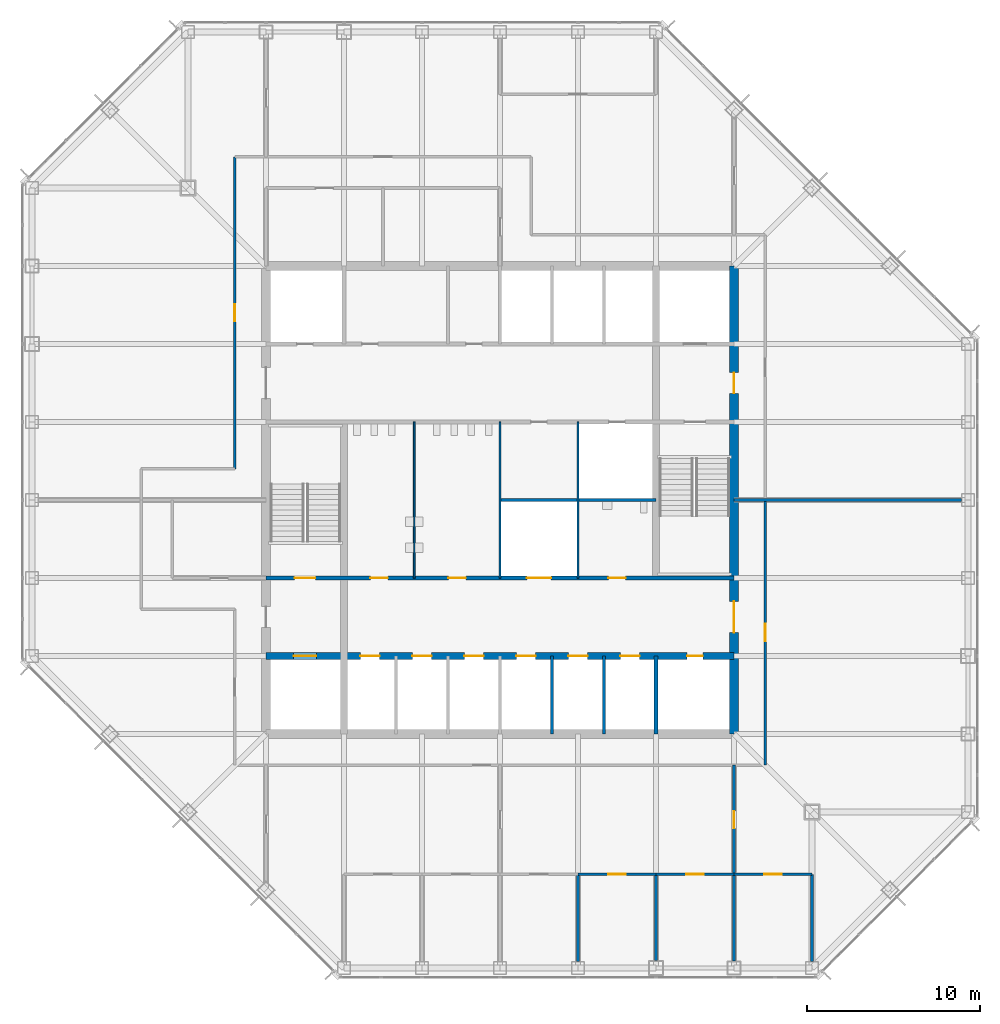
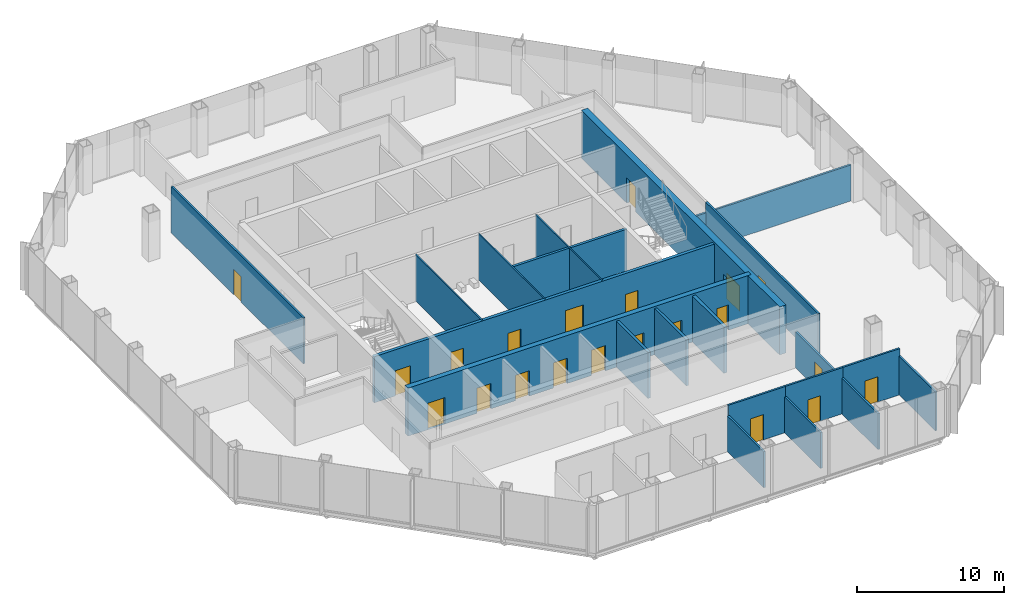
# One storey, part 9 of 12: 21 doors, 21 walls, 21 openings.
"""IFC4 building model written with IfcOpenShell, lengths in metres."""

from ifc_helpers import new_model, si_unit, direction, frame, frame_2d, origin, place, context, subcontext, project, spatial, rectangle, extrude, material, layer, layer_set, type_object, element, fill, save


model = new_model("IFC4")

# Units and contexts
model_context = context("Model", 3, precision=1e-05, world=origin(), true_north=direction((0.0, 1.0)))
body_context = subcontext(model_context, "Body", "Model", "MODEL_VIEW")
ifc_project = project(units=[si_unit("LENGTHUNIT", "METRE"), si_unit("AREAUNIT", "SQUARE_METRE"), si_unit("VOLUMEUNIT", "CUBIC_METRE"), si_unit("PLANEANGLEUNIT", "RADIAN"), si_unit("MASSUNIT", "GRAM", prefix="KILO")], contexts=[model_context])

# Site, building, storey
site_placement = place(None, origin())
site = spatial("IfcSite", under=ifc_project, at=site_placement, CompositionType="ELEMENT")
building_placement = place(site_placement, origin())
building = spatial("IfcBuilding", under=site, at=building_placement, Name="Corais Broadcast Tower", CompositionType="ELEMENT")
storey_placement = place(building_placement, frame((0.0, 0.0, 147.60009765625)))
storey = spatial("IfcBuildingStorey", under=building, at=storey_placement, Name="L33", CompositionType="ELEMENT", Elevation=147.60009765625)

# Wall
ifc_material_1 = material(Name="Concrete blockwork class A, grouted, two-hour", Category="masonry")
ifc_layer_1 = layer(ifc_material_1, 0.25)
ifc_layer_set_1 = layer_set([ifc_layer_1], Name="Concrete blockwork class A, grouted, two-hour")
wall_type_1 = type_object("IfcWallType", Name="Core lobby wall 250", PredefinedType="SOLIDWALL", material=ifc_layer_set_1)
wall_1_placement = place(storey_placement, frame((36.0, 13.5, 0.0), z_axis=(0.0, 0.0, 1.0), x_axis=(0.0, 1.0, 0.0)))
element("IfcWall", 1, at=wall_1_placement, inside=storey, type_object=wall_type_1, Name="CL2 core shaft wall X36A L33", PredefinedType="SOLIDWALL", context=body_context, shape_type="SweptSolid", body=[
    extrude(rectangle(XDim=4.5, YDim=0.25, at=frame_2d((2.25, 0.0))), origin(), (0.0, 0.0, 1.0), 3.83984375),
])

# Wall, openings, doors
wall_2_placement = place(storey_placement, frame((13.5, 22.5, 0.0), z_axis=(0.0, 0.0, 1.0), x_axis=(1.0, 0.0, 0.0)))
wall_2 = element("IfcWall", 2, at=wall_2_placement, inside=storey, type_object=wall_type_1, Name="CL2 core lobby wall Y225 L33", PredefinedType="SOLIDWALL", context=body_context, shape_type="SweptSolid", body=[
    extrude(rectangle(XDim=27.0, YDim=0.25, at=frame_2d((13.5, 0.0))), origin(), (0.0, 0.0, 1.0), 3.83984375),
])
opening_1_placement = place(wall_2_placement, frame((1.64990234375, 0.0, 0.0)))
opening_1 = element("IfcOpeningElement", 3, at=opening_1_placement, cuts=wall_2, Name="Opening FD1", PredefinedType="OPENING", context=body_context, shape_type="SweptSolid", body=[
    extrude(rectangle(XDim=1.199951171875, YDim=2.10009765625, at=frame_2d((0.60009765625, 1.050048828125))), frame((0.0, 0.135009765625, 0.0), z_axis=(0.0, -1.0, 0.0), x_axis=(1.0, 0.0, 0.0)), (0.0, 0.0, 1.0), 0.27001953125),
])
opening_2_placement = place(wall_2_placement, frame((6.02490234375, 0.0, 0.0)))
opening_2 = element("IfcOpeningElement", 4, at=opening_2_placement, cuts=wall_2, Name="Opening WD1", PredefinedType="OPENING", context=body_context, shape_type="SweptSolid", body=[
    extrude(rectangle(XDim=1.0, YDim=2.10009765625, at=frame_2d((0.5, 1.050048828125))), frame((0.0, 0.135009765625, 0.0), z_axis=(0.0, -1.0, 0.0), x_axis=(1.0, 0.0, 0.0)), (0.0, 0.0, 1.0), 0.27001953125),
])
opening_3_placement = place(wall_2_placement, frame((10.52490234375, 0.0, 0.0)))
opening_3 = element("IfcOpeningElement", 5, at=opening_3_placement, cuts=wall_2, Name="Opening WD1", PredefinedType="OPENING", context=body_context, shape_type="SweptSolid", body=[
    extrude(rectangle(XDim=1.0, YDim=2.10009765625, at=frame_2d((0.5, 1.050048828125))), frame((0.0, 0.135009765625, 0.0), z_axis=(0.0, -1.0, 0.0), x_axis=(1.0, 0.0, 0.0)), (0.0, 0.0, 1.0), 0.27001953125),
])
opening_4_placement = place(wall_2_placement, frame((19.75, 0.0, 0.0)))
opening_4 = element("IfcOpeningElement", 6, at=opening_4_placement, cuts=wall_2, Name="Opening WD1", PredefinedType="OPENING", context=body_context, shape_type="SweptSolid", body=[
    extrude(rectangle(XDim=1.0, YDim=2.10009765625, at=frame_2d((0.5, 1.050048828125))), frame((0.0, 0.135009765625, 0.0), z_axis=(0.0, -1.0, 0.0), x_axis=(1.0, 0.0, 0.0)), (0.0, 0.0, 1.0), 0.27001953125),
])
opening_5_placement = place(wall_2_placement, frame((15.050048828125, 0.0, 0.0)))
opening_5 = element("IfcOpeningElement", 7, at=opening_5_placement, cuts=wall_2, Name="Opening LD3", PredefinedType="OPENING", context=body_context, shape_type="SweptSolid", body=[
    extrude(rectangle(XDim=1.39990234375, YDim=2.39990234375, at=frame_2d((0.699951171875, 1.199951171875))), frame((0.0, 0.135009765625, 0.0), z_axis=(0.0, -1.0, 0.0), x_axis=(1.0, 0.0, 0.0)), (0.0, 0.0, 1.0), 0.27001953125),
])
ifc_material_2 = material(Name="Steel fire door", Category="steel")
door_type_1 = type_object("IfcDoorType", Name="Fire door 1200x2100", OperationType="SINGLE_SWING_LEFT", PredefinedType="DOOR", material=ifc_material_2)
door_1_placement = place(opening_1_placement, origin())
door_1 = element("IfcDoor", 8, at=door_1_placement, inside=storey, type_object=door_type_1, Name="FD1 stair A door L33", OperationType="SINGLE_SWING_LEFT", OverallHeight=2.10009765625, OverallWidth=1.199951171875, PredefinedType="DOOR", context=body_context, shape_type="SweptSolid", body=[
    extrude(rectangle(XDim=1.199951171875, YDim=2.10009765625, at=frame_2d((0.60009765625, 1.050048828125))), frame((0.0, 0.02490234375, 0.0), z_axis=(0.0, -1.0, 0.0), x_axis=(1.0, 0.0, 0.0)), (0.0, 0.0, 1.0), 0.050048828125),
])
fill(opening_1, door_1)
ifc_material_3 = material(Name="Stainless steel lift door", Category="steel")
door_type_2 = type_object("IfcDoorType", Name="Service lift landing door 1400x2400", OperationType="SLIDING_TO_LEFT", PredefinedType="DOOR", material=ifc_material_3)
door_2_placement = place(opening_5_placement, origin())
door_2 = element("IfcDoor", 9, at=door_2_placement, inside=storey, type_object=door_type_2, Name="LD3 SL1 landing door L33", OperationType="SLIDING_TO_LEFT", OverallHeight=2.39990234375, OverallWidth=1.39990234375, PredefinedType="DOOR", context=body_context, shape_type="SweptSolid", body=[
    extrude(rectangle(XDim=1.39990234375, YDim=2.39990234375, at=frame_2d((0.699951171875, 1.199951171875))), frame((0.0, 0.02490234375, 0.0), z_axis=(0.0, -1.0, 0.0), x_axis=(1.0, 0.0, 0.0)), (0.0, 0.0, 1.0), 0.050048828125),
])
fill(opening_5, door_2)
ifc_material_4 = material(Name="Timber door", Category="wood")
door_type_3 = type_object("IfcDoorType", Name="Toilet door 1000x2100", OperationType="SINGLE_SWING_LEFT", PredefinedType="DOOR", material=ifc_material_4)
door_3_placement = place(opening_2_placement, origin())
door_3 = element("IfcDoor", 10, at=door_3_placement, inside=storey, type_object=door_type_3, Name="WD1 WC male door L33", OperationType="SINGLE_SWING_LEFT", OverallHeight=2.10009765625, OverallWidth=1.0, PredefinedType="DOOR", context=body_context, shape_type="SweptSolid", body=[
    extrude(rectangle(XDim=1.0, YDim=2.10009765625, at=frame_2d((0.5, 1.050048828125))), frame((0.0, 0.02490234375, 0.0), z_axis=(0.0, -1.0, 0.0), x_axis=(1.0, 0.0, 0.0)), (0.0, 0.0, 1.0), 0.050048828125),
])
fill(opening_2, door_3)
door_4_placement = place(opening_3_placement, origin())
door_4 = element("IfcDoor", 11, at=door_4_placement, inside=storey, type_object=door_type_3, Name="WD1 WC female door L33", OperationType="SINGLE_SWING_LEFT", OverallHeight=2.10009765625, OverallWidth=1.0, PredefinedType="DOOR", context=body_context, shape_type="SweptSolid", body=[
    extrude(rectangle(XDim=1.0, YDim=2.10009765625, at=frame_2d((0.5, 1.050048828125))), frame((0.0, 0.02490234375, 0.0), z_axis=(0.0, -1.0, 0.0), x_axis=(1.0, 0.0, 0.0)), (0.0, 0.0, 1.0), 0.050048828125),
])
fill(opening_3, door_4)
door_5_placement = place(opening_4_placement, origin())
door_5 = element("IfcDoor", 12, at=door_5_placement, inside=storey, type_object=door_type_3, Name="WD1 accessible WC door L33", OperationType="SINGLE_SWING_RIGHT", OverallHeight=2.10009765625, OverallWidth=1.0, PredefinedType="DOOR", context=body_context, shape_type="SweptSolid", body=[
    extrude(rectangle(XDim=1.0, YDim=2.10009765625, at=frame_2d((0.5, 1.050048828125))), frame((0.0, 0.02490234375, 0.0), z_axis=(0.0, -1.0, 0.0), x_axis=(1.0, 0.0, 0.0)), (0.0, 0.0, 1.0), 0.050048828125),
])
fill(opening_4, door_5)

ifc_material_5 = material(Name="Concrete C50/60", Category="concrete")
ifc_layer_2 = layer(ifc_material_5, 0.39990234375)
ifc_layer_set_2 = layer_set([ifc_layer_2], Name="Concrete C50/60")
wall_type_2 = type_object("IfcWallType", Name="Core wall 400", PredefinedType="SHEAR", material=ifc_layer_set_2)
wall_3_placement = place(storey_placement, frame((13.5, 18.0, 0.0), z_axis=(0.0, 0.0, 1.0), x_axis=(1.0, 0.0, 0.0)))
wall_3 = element("IfcWall", 13, at=wall_3_placement, inside=storey, type_object=wall_type_2, Name="CR400 core wall Y18 L33", PredefinedType="SHEAR", context=body_context, shape_type="SweptSolid", body=[
    extrude(rectangle(XDim=27.0, YDim=0.39990234375, at=frame_2d((13.5, 0.0))), origin(), (0.0, 0.0, 1.0), 4.0),
])
opening_6_placement = place(wall_3_placement, frame((24.300048828125, 0.0, 0.0)))
opening_6 = element("IfcOpeningElement", 14, at=opening_6_placement, cuts=wall_3, Name="Opening RD1", PredefinedType="OPENING", context=body_context, shape_type="SweptSolid", body=[
    extrude(rectangle(XDim=0.89990234375, YDim=2.10009765625, at=frame_2d((0.449951171875, 1.050048828125))), frame((0.0, 0.2099609375, 0.0), z_axis=(0.0, -1.0, 0.0), x_axis=(1.0, 0.0, 0.0)), (0.0, 0.0, 1.0), 0.419921875),
])
opening_7_placement = place(wall_3_placement, frame((5.449951171875, 0.0, 0.0)))
opening_7 = element("IfcOpeningElement", 15, at=opening_7_placement, cuts=wall_3, Name="Opening LD1", PredefinedType="OPENING", context=body_context, shape_type="SweptSolid", body=[
    extrude(rectangle(XDim=1.10009765625, YDim=2.10009765625, at=frame_2d((0.550048828125, 1.050048828125))), frame((0.0, 0.2099609375, 0.0), z_axis=(0.0, -1.0, 0.0), x_axis=(1.0, 0.0, 0.0)), (0.0, 0.0, 1.0), 0.419921875),
])
opening_8_placement = place(wall_3_placement, frame((8.449951171875, 0.0, 0.0)))
opening_8 = element("IfcOpeningElement", 16, at=opening_8_placement, cuts=wall_3, Name="Opening LD1", PredefinedType="OPENING", context=body_context, shape_type="SweptSolid", body=[
    extrude(rectangle(XDim=1.10009765625, YDim=2.10009765625, at=frame_2d((0.550048828125, 1.050048828125))), frame((0.0, 0.2099609375, 0.0), z_axis=(0.0, -1.0, 0.0), x_axis=(1.0, 0.0, 0.0)), (0.0, 0.0, 1.0), 0.419921875),
])
opening_9_placement = place(wall_3_placement, frame((11.449951171875, 0.0, 0.0)))
opening_9 = element("IfcOpeningElement", 17, at=opening_9_placement, cuts=wall_3, Name="Opening LD1", PredefinedType="OPENING", context=body_context, shape_type="SweptSolid", body=[
    extrude(rectangle(XDim=1.10009765625, YDim=2.10009765625, at=frame_2d((0.550048828125, 1.050048828125))), frame((0.0, 0.2099609375, 0.0), z_axis=(0.0, -1.0, 0.0), x_axis=(1.0, 0.0, 0.0)), (0.0, 0.0, 1.0), 0.419921875),
])
opening_10_placement = place(wall_3_placement, frame((14.449951171875, 0.0, 0.0)))
opening_10 = element("IfcOpeningElement", 18, at=opening_10_placement, cuts=wall_3, Name="Opening LD1", PredefinedType="OPENING", context=body_context, shape_type="SweptSolid", body=[
    extrude(rectangle(XDim=1.10009765625, YDim=2.10009765625, at=frame_2d((0.550048828125, 1.050048828125))), frame((0.0, 0.2099609375, 0.0), z_axis=(0.0, -1.0, 0.0), x_axis=(1.0, 0.0, 0.0)), (0.0, 0.0, 1.0), 0.419921875),
])
opening_11_placement = place(wall_3_placement, frame((17.449951171875, 0.0, 0.0)))
opening_11 = element("IfcOpeningElement", 19, at=opening_11_placement, cuts=wall_3, Name="Opening LD1", PredefinedType="OPENING", context=body_context, shape_type="SweptSolid", body=[
    extrude(rectangle(XDim=1.10009765625, YDim=2.10009765625, at=frame_2d((0.550048828125, 1.050048828125))), frame((0.0, 0.2099609375, 0.0), z_axis=(0.0, -1.0, 0.0), x_axis=(1.0, 0.0, 0.0)), (0.0, 0.0, 1.0), 0.419921875),
])
opening_12_placement = place(wall_3_placement, frame((20.449951171875, 0.0, 0.0)))
opening_12 = element("IfcOpeningElement", 20, at=opening_12_placement, cuts=wall_3, Name="Opening LD1", PredefinedType="OPENING", context=body_context, shape_type="SweptSolid", body=[
    extrude(rectangle(XDim=1.10009765625, YDim=2.10009765625, at=frame_2d((0.550048828125, 1.050048828125))), frame((0.0, 0.2099609375, 0.0), z_axis=(0.0, -1.0, 0.0), x_axis=(1.0, 0.0, 0.0)), (0.0, 0.0, 1.0), 0.419921875),
])
opening_13_placement = place(wall_3_placement, frame((1.60009765625, 0.0, 0.0)))
opening_13 = element("IfcOpeningElement", 21, at=opening_13_placement, cuts=wall_3, Name="Opening LD2", PredefinedType="OPENING", context=body_context, shape_type="SweptSolid", body=[
    extrude(rectangle(XDim=1.300048828125, YDim=2.199951171875, at=frame_2d((0.64990234375, 1.10009765625))), frame((0.0, 0.2099609375, 0.0), z_axis=(0.0, -1.0, 0.0), x_axis=(1.0, 0.0, 0.0)), (0.0, 0.0, 1.0), 0.419921875),
])
ifc_material_6 = material(Name="Stainless steel lift door", Category="steel")
door_type_4 = type_object("IfcDoorType", Name="Lift landing door 1100x2100", OperationType="SLIDING_TO_LEFT", PredefinedType="DOOR", material=ifc_material_6)
door_6_placement = place(opening_7_placement, origin())
door_6 = element("IfcDoor", 22, at=door_6_placement, inside=storey, type_object=door_type_4, Name="LD1 PM1 landing door L33", OperationType="SLIDING_TO_LEFT", OverallHeight=2.10009765625, OverallWidth=1.10009765625, PredefinedType="DOOR", context=body_context, shape_type="SweptSolid", body=[
    extrude(rectangle(XDim=1.10009765625, YDim=2.10009765625, at=frame_2d((0.550048828125, 1.050048828125))), frame((0.0, 0.02490234375, 0.0), z_axis=(0.0, -1.0, 0.0), x_axis=(1.0, 0.0, 0.0)), (0.0, 0.0, 1.0), 0.050048828125),
])
fill(opening_7, door_6)
door_7_placement = place(opening_8_placement, origin())
door_7 = element("IfcDoor", 23, at=door_7_placement, inside=storey, type_object=door_type_4, Name="LD1 PM2 landing door L33", OperationType="SLIDING_TO_LEFT", OverallHeight=2.10009765625, OverallWidth=1.10009765625, PredefinedType="DOOR", context=body_context, shape_type="SweptSolid", body=[
    extrude(rectangle(XDim=1.10009765625, YDim=2.10009765625, at=frame_2d((0.550048828125, 1.050048828125))), frame((0.0, 0.02490234375, 0.0), z_axis=(0.0, -1.0, 0.0), x_axis=(1.0, 0.0, 0.0)), (0.0, 0.0, 1.0), 0.050048828125),
])
fill(opening_8, door_7)
door_8_placement = place(opening_9_placement, origin())
door_8 = element("IfcDoor", 24, at=door_8_placement, inside=storey, type_object=door_type_4, Name="LD1 PM3 landing door L33", OperationType="SLIDING_TO_LEFT", OverallHeight=2.10009765625, OverallWidth=1.10009765625, PredefinedType="DOOR", context=body_context, shape_type="SweptSolid", body=[
    extrude(rectangle(XDim=1.10009765625, YDim=2.10009765625, at=frame_2d((0.550048828125, 1.050048828125))), frame((0.0, 0.02490234375, 0.0), z_axis=(0.0, -1.0, 0.0), x_axis=(1.0, 0.0, 0.0)), (0.0, 0.0, 1.0), 0.050048828125),
])
fill(opening_9, door_8)
door_9_placement = place(opening_10_placement, origin())
door_9 = element("IfcDoor", 25, at=door_9_placement, inside=storey, type_object=door_type_4, Name="LD1 PM4 landing door L33", OperationType="SLIDING_TO_LEFT", OverallHeight=2.10009765625, OverallWidth=1.10009765625, PredefinedType="DOOR", context=body_context, shape_type="SweptSolid", body=[
    extrude(rectangle(XDim=1.10009765625, YDim=2.10009765625, at=frame_2d((0.550048828125, 1.050048828125))), frame((0.0, 0.02490234375, 0.0), z_axis=(0.0, -1.0, 0.0), x_axis=(1.0, 0.0, 0.0)), (0.0, 0.0, 1.0), 0.050048828125),
])
fill(opening_10, door_9)
door_10_placement = place(opening_11_placement, origin())
door_10 = element("IfcDoor", 26, at=door_10_placement, inside=storey, type_object=door_type_4, Name="LD1 PM5 landing door L33", OperationType="SLIDING_TO_LEFT", OverallHeight=2.10009765625, OverallWidth=1.10009765625, PredefinedType="DOOR", context=body_context, shape_type="SweptSolid", body=[
    extrude(rectangle(XDim=1.10009765625, YDim=2.10009765625, at=frame_2d((0.550048828125, 1.050048828125))), frame((0.0, 0.02490234375, 0.0), z_axis=(0.0, -1.0, 0.0), x_axis=(1.0, 0.0, 0.0)), (0.0, 0.0, 1.0), 0.050048828125),
])
fill(opening_11, door_10)
door_11_placement = place(opening_12_placement, origin())
door_11 = element("IfcDoor", 27, at=door_11_placement, inside=storey, type_object=door_type_4, Name="LD1 PM6 landing door L33", OperationType="SLIDING_TO_LEFT", OverallHeight=2.10009765625, OverallWidth=1.10009765625, PredefinedType="DOOR", context=body_context, shape_type="SweptSolid", body=[
    extrude(rectangle(XDim=1.10009765625, YDim=2.10009765625, at=frame_2d((0.550048828125, 1.050048828125))), frame((0.0, 0.02490234375, 0.0), z_axis=(0.0, -1.0, 0.0), x_axis=(1.0, 0.0, 0.0)), (0.0, 0.0, 1.0), 0.050048828125),
])
fill(opening_12, door_11)
ifc_material_7 = material(Name="Stainless steel lift door", Category="steel")
door_type_5 = type_object("IfcDoorType", Name="Lift landing door 1300x2200", OperationType="SLIDING_TO_LEFT", PredefinedType="DOOR", material=ifc_material_7)
door_12_placement = place(opening_13_placement, origin())
door_12 = element("IfcDoor", 28, at=door_12_placement, inside=storey, type_object=door_type_5, Name="LD2 FL1 landing door L33", OperationType="SLIDING_TO_LEFT", OverallHeight=2.199951171875, OverallWidth=1.300048828125, PredefinedType="DOOR", context=body_context, shape_type="SweptSolid", body=[
    extrude(rectangle(XDim=1.300048828125, YDim=2.199951171875, at=frame_2d((0.64990234375, 1.10009765625))), frame((0.0, 0.02490234375, 0.0), z_axis=(0.0, -1.0, 0.0), x_axis=(1.0, 0.0, 0.0)), (0.0, 0.0, 1.0), 0.050048828125),
])
fill(opening_13, door_12)
ifc_material_8 = material(Name="Steel fire door", Category="steel")
door_type_6 = type_object("IfcDoorType", Name="Riser door 900x2100", OperationType="SINGLE_SWING_LEFT", PredefinedType="DOOR", material=ifc_material_8)
door_13_placement = place(opening_6_placement, origin())
door_13 = element("IfcDoor", 29, at=door_13_placement, inside=storey, type_object=door_type_6, Name="RD1 riser door L33", OperationType="SINGLE_SWING_RIGHT", OverallHeight=2.10009765625, OverallWidth=0.89990234375, PredefinedType="DOOR", context=body_context, shape_type="SweptSolid", body=[
    extrude(rectangle(XDim=0.89990234375, YDim=2.10009765625, at=frame_2d((0.449951171875, 1.050048828125))), frame((0.0, 0.02490234375, 0.0), z_axis=(0.0, -1.0, 0.0), x_axis=(1.0, 0.0, 0.0)), (0.0, 0.0, 1.0), 0.050048828125),
])
fill(opening_6, door_13)

ifc_material_9 = material(Name="Concrete C50/60", Category="concrete")
ifc_layer_3 = layer(ifc_material_9, 0.5)
ifc_layer_set_3 = layer_set([ifc_layer_3], Name="Concrete C50/60")
wall_type_3 = type_object("IfcWallType", Name="Core wall 500", PredefinedType="SHEAR", material=ifc_layer_set_3)
wall_4_placement = place(storey_placement, frame((40.5, 13.5, 0.0), z_axis=(0.0, 0.0, 1.0), x_axis=(0.0, 1.0, 0.0)))
wall_4 = element("IfcWall", 30, at=wall_4_placement, inside=storey, type_object=wall_type_3, Name="CR500 core wall E L33", PredefinedType="SHEAR", context=body_context, shape_type="SweptSolid", body=[
    extrude(rectangle(XDim=27.0, YDim=0.5, at=frame_2d((13.5, 0.0))), origin(), (0.0, 0.0, 1.0), 4.0),
])
opening_14_placement = place(wall_4_placement, frame((5.85009765625, 0.0, 0.0)))
opening_14 = element("IfcOpeningElement", 31, at=opening_14_placement, cuts=wall_4, Name="Opening FD2", PredefinedType="OPENING", context=body_context, shape_type="SweptSolid", body=[
    extrude(rectangle(XDim=1.800048828125, YDim=2.10009765625, at=frame_2d((0.89990234375, 1.050048828125))), frame((0.0, 0.260009765625, 0.0), z_axis=(0.0, -1.0, 0.0), x_axis=(1.0, 0.0, 0.0)), (0.0, 0.0, 1.0), 0.52001953125),
])
opening_15_placement = place(wall_4_placement, frame((19.64990234375, 0.0, 0.0)))
opening_15 = element("IfcOpeningElement", 32, at=opening_15_placement, cuts=wall_4, Name="Opening FD1", PredefinedType="OPENING", context=body_context, shape_type="SweptSolid", body=[
    extrude(rectangle(XDim=1.199951171875, YDim=2.10009765625, at=frame_2d((0.60009765625, 1.050048828125))), frame((0.0, 0.260009765625, 0.0), z_axis=(0.0, -1.0, 0.0), x_axis=(1.0, 0.0, 0.0)), (0.0, 0.0, 1.0), 0.52001953125),
])
door_14_placement = place(opening_15_placement, origin())
door_14 = element("IfcDoor", 33, at=door_14_placement, inside=storey, type_object=door_type_1, Name="FD1 fire lobby B door L33", OperationType="SINGLE_SWING_RIGHT", OverallHeight=2.10009765625, OverallWidth=1.199951171875, PredefinedType="DOOR", context=body_context, shape_type="SweptSolid", body=[
    extrude(rectangle(XDim=1.199951171875, YDim=2.10009765625, at=frame_2d((0.60009765625, 1.050048828125))), frame((0.0, 0.02490234375, 0.0), z_axis=(0.0, -1.0, 0.0), x_axis=(1.0, 0.0, 0.0)), (0.0, 0.0, 1.0), 0.050048828125),
])
fill(opening_15, door_14)
ifc_material_10 = material(Name="Steel fire door", Category="steel")
door_type_7 = type_object("IfcDoorType", Name="Fire door pair 1800x2100", OperationType="DOUBLE_DOOR_SINGLE_SWING", PredefinedType="DOOR", material=ifc_material_10)
door_15_placement = place(opening_14_placement, origin())
door_15 = element("IfcDoor", 34, at=door_15_placement, inside=storey, type_object=door_type_7, Name="FD2 lift lobby door L33", OperationType="SINGLE_SWING_LEFT", OverallHeight=2.10009765625, OverallWidth=1.800048828125, PredefinedType="DOOR", context=body_context, shape_type="SweptSolid", body=[
    extrude(rectangle(XDim=1.800048828125, YDim=2.10009765625, at=frame_2d((0.89990234375, 1.050048828125))), frame((0.0, 0.02490234375, 0.0), z_axis=(0.0, -1.0, 0.0), x_axis=(1.0, 0.0, 0.0)), (0.0, 0.0, 1.0), 0.050048828125),
])
fill(opening_14, door_15)

# Wall
ifc_material_11 = material(Name="Two layers of fire-rated gypsum board each side on steel studs", Category="steel")
ifc_layer_4 = layer(ifc_material_11, 0.14990234375)
ifc_layer_set_4 = layer_set([ifc_layer_4], Name="Two layers of fire-rated gypsum board each side on steel studs")
wall_type_4 = type_object("IfcWallType", Name="Fire-rated partition 150 EI 60", PredefinedType="PARTITIONING", material=ifc_layer_set_4)
wall_5_placement = place(storey_placement, frame((40.5, 27.0, 0.0), z_axis=(0.0, 0.0, 1.0), x_axis=(1.0, 0.0, 0.0)))
element("IfcWall", 35, at=wall_5_placement, inside=storey, type_object=wall_type_4, Name="IW7 tenancy wall L33", PredefinedType="PARTITIONING", context=body_context, shape_type="SweptSolid", body=[
    extrude(rectangle(XDim=13.114990234375, YDim=0.14990234375, at=frame_2d((6.5576171875, 0.0))), origin(), (0.0, 0.0, 1.0), 2.989013671875),
])

# Wall, opening, door
ifc_material_12 = material(Name="Gypsum board on steel studs", Category="steel")
ifc_layer_5 = layer(ifc_material_12, 0.14990234375)
ifc_layer_set_5 = layer_set([ifc_layer_5], Name="Gypsum board on steel studs")
wall_type_5 = type_object("IfcWallType", Name="Partition 150", PredefinedType="PARTITIONING", material=ifc_layer_set_5)
wall_6_placement = place(storey_placement, frame((11.699951171875, 46.800048828125, 0.0), z_axis=(0.0, 0.0, 1.0), x_axis=(0.0, -1.0, 0.0)))
wall_6 = element("IfcWall", 36, at=wall_6_placement, inside=storey, type_object=wall_type_5, Name="IW3 corridor wall L33", PredefinedType="PARTITIONING", context=body_context, shape_type="SweptSolid", body=[
    extrude(rectangle(XDim=18.0, YDim=0.14990234375, at=frame_2d((9.0, 0.0))), origin(), (0.0, 0.0, 1.0), 3.83984375),
])
opening_16_placement = place(wall_6_placement, frame((8.5, 0.0, 0.0)))
opening_16 = element("IfcOpeningElement", 37, at=opening_16_placement, cuts=wall_6, Name="Opening D1", PredefinedType="OPENING", context=body_context, shape_type="SweptSolid", body=[
    extrude(rectangle(XDim=1.0, YDim=2.10009765625, at=frame_2d((0.5, 1.050048828125))), frame((0.0, 0.0849609375, 0.0), z_axis=(0.0, -1.0, 0.0), x_axis=(1.0, 0.0, 0.0)), (0.0, 0.0, 1.0), 0.169921875),
])
ifc_material_13 = material(Name="Timber door", Category="wood")
door_type_8 = type_object("IfcDoorType", Name="Single door 1000x2100", OperationType="SINGLE_SWING_LEFT", PredefinedType="DOOR", material=ifc_material_13)
door_16_placement = place(opening_16_placement, origin())
door_16 = element("IfcDoor", 38, at=door_16_placement, inside=storey, type_object=door_type_8, Name="D1 workplace door L33", OperationType="SINGLE_SWING_LEFT", OverallHeight=2.10009765625, OverallWidth=1.0, PredefinedType="DOOR", context=body_context, shape_type="SweptSolid", body=[
    extrude(rectangle(XDim=1.0, YDim=2.10009765625, at=frame_2d((0.5, 1.050048828125))), frame((0.0, 0.02490234375, 0.0), z_axis=(0.0, -1.0, 0.0), x_axis=(1.0, 0.0, 0.0)), (0.0, 0.0, 1.0), 0.050048828125),
])
fill(opening_16, door_16)

wall_7_placement = place(storey_placement, frame((42.300048828125, 11.699951171875, 0.0), z_axis=(0.0, 0.0, 1.0), x_axis=(0.0, 1.0, 0.0)))
wall_7 = element("IfcWall", 39, at=wall_7_placement, inside=storey, type_object=wall_type_5, Name="IW3 corridor wall L33", PredefinedType="PARTITIONING", context=body_context, shape_type="SweptSolid", body=[
    extrude(rectangle(XDim=15.299560546875, YDim=0.14990234375, at=frame_2d((7.64990234375, 0.0))), origin(), (0.0, 0.0, 1.0), 3.83984375),
])
opening_17_placement = place(wall_7_placement, frame((7.14990234375, 0.0, 0.0)))
opening_17 = element("IfcOpeningElement", 40, at=opening_17_placement, cuts=wall_7, Name="Opening D1", PredefinedType="OPENING", context=body_context, shape_type="SweptSolid", body=[
    extrude(rectangle(XDim=1.0, YDim=2.10009765625, at=frame_2d((0.5, 1.050048828125))), frame((0.0, 0.0849609375, 0.0), z_axis=(0.0, -1.0, 0.0), x_axis=(1.0, 0.0, 0.0)), (0.0, 0.0, 1.0), 0.169921875),
])
door_17_placement = place(opening_17_placement, origin())
door_17 = element("IfcDoor", 41, at=door_17_placement, inside=storey, type_object=door_type_8, Name="D1 workplace door L33", OperationType="SINGLE_SWING_RIGHT", OverallHeight=2.10009765625, OverallWidth=1.0, PredefinedType="DOOR", context=body_context, shape_type="SweptSolid", body=[
    extrude(rectangle(XDim=1.0, YDim=2.10009765625, at=frame_2d((0.5, 1.050048828125))), frame((0.0, 0.02490234375, 0.0), z_axis=(0.0, -1.0, 0.0), x_axis=(1.0, 0.0, 0.0)), (0.0, 0.0, 1.0), 0.050048828125),
])
fill(opening_17, door_17)

# Walls
wall_8_placement = place(storey_placement, frame((31.5, 0.385009765625, 0.0), z_axis=(0.0, 0.0, 1.0), x_axis=(0.0, 1.0, 0.0)))
element("IfcWall", 42, at=wall_8_placement, inside=storey, type_object=wall_type_5, Name="IW3 partition L33", PredefinedType="PARTITIONING", context=body_context, shape_type="SweptSolid", body=[
    extrude(rectangle(XDim=5.014892578125, YDim=0.14990234375, at=frame_2d((2.50732421875, 0.0))), origin(), (0.0, 0.0, 1.0), 2.989013671875),
])
wall_9_placement = place(storey_placement, frame((36.0, 0.43505859375, 0.0), z_axis=(0.0, 0.0, 1.0), x_axis=(0.0, 1.0, 0.0)))
element("IfcWall", 43, at=wall_9_placement, inside=storey, type_object=wall_type_5, Name="IW3 partition L33", PredefinedType="PARTITIONING", context=body_context, shape_type="SweptSolid", body=[
    extrude(rectangle(XDim=4.96484375, YDim=0.14990234375, at=frame_2d((2.482421875, 0.0))), origin(), (0.0, 0.0, 1.0), 2.989013671875),
])

# Wall, opening, door
wall_10_placement = place(storey_placement, frame((36.0, 5.39990234375, 0.0), z_axis=(0.0, 0.0, 1.0), x_axis=(-1.0, 0.0, 0.0)))
wall_10 = element("IfcWall", 44, at=wall_10_placement, inside=storey, type_object=wall_type_5, Name="IW3 partition L33", PredefinedType="PARTITIONING", context=body_context, shape_type="SweptSolid", body=[
    extrude(rectangle(XDim=4.5, YDim=0.14990234375, at=frame_2d((2.25, 0.0))), origin(), (0.0, 0.0, 1.0), 3.83984375),
])
opening_18_placement = place(wall_10_placement, frame((1.75, 0.0, 0.0)))
opening_18 = element("IfcOpeningElement", 45, at=opening_18_placement, cuts=wall_10, Name="Opening D1", PredefinedType="OPENING", context=body_context, shape_type="SweptSolid", body=[
    extrude(rectangle(XDim=1.0, YDim=2.10009765625, at=frame_2d((0.5, 1.050048828125))), frame((0.0, 0.0849609375, 0.0), z_axis=(0.0, -1.0, 0.0), x_axis=(1.0, 0.0, 0.0)), (0.0, 0.0, 1.0), 0.169921875),
])
door_18_placement = place(opening_18_placement, origin())
door_18 = element("IfcDoor", 46, at=door_18_placement, inside=storey, type_object=door_type_8, Name="D1 Office door", OperationType="SINGLE_SWING_LEFT", OverallHeight=2.10009765625, OverallWidth=1.0, PredefinedType="DOOR", context=body_context, shape_type="SweptSolid", body=[
    extrude(rectangle(XDim=1.0, YDim=2.10009765625, at=frame_2d((0.5, 1.050048828125))), frame((0.0, 0.02490234375, 0.0), z_axis=(0.0, -1.0, 0.0), x_axis=(1.0, 0.0, 0.0)), (0.0, 0.0, 1.0), 0.050048828125),
])
fill(opening_18, door_18)

# Wall
wall_11_placement = place(storey_placement, frame((40.5, 0.409912109375, 0.0), z_axis=(0.0, 0.0, 1.0), x_axis=(0.0, 1.0, 0.0)))
element("IfcWall", 47, at=wall_11_placement, inside=storey, type_object=wall_type_5, Name="IW3 partition L33", PredefinedType="PARTITIONING", context=body_context, shape_type="SweptSolid", body=[
    extrude(rectangle(XDim=4.989990234375, YDim=0.14990234375, at=frame_2d((2.4951171875, 0.0))), origin(), (0.0, 0.0, 1.0), 2.989013671875),
])

# Wall, opening, door
wall_12_placement = place(storey_placement, frame((40.5, 5.39990234375, 0.0), z_axis=(0.0, 0.0, 1.0), x_axis=(-1.0, 0.0, 0.0)))
wall_12 = element("IfcWall", 48, at=wall_12_placement, inside=storey, type_object=wall_type_5, Name="IW3 partition L33", PredefinedType="PARTITIONING", context=body_context, shape_type="SweptSolid", body=[
    extrude(rectangle(XDim=4.5, YDim=0.14990234375, at=frame_2d((2.25, 0.0))), origin(), (0.0, 0.0, 1.0), 3.83984375),
])
opening_19_placement = place(wall_12_placement, frame((1.75, 0.0, 0.0)))
opening_19 = element("IfcOpeningElement", 49, at=opening_19_placement, cuts=wall_12, Name="Opening D1", PredefinedType="OPENING", context=body_context, shape_type="SweptSolid", body=[
    extrude(rectangle(XDim=1.0, YDim=2.10009765625, at=frame_2d((0.5, 1.050048828125))), frame((0.0, 0.0849609375, 0.0), z_axis=(0.0, -1.0, 0.0), x_axis=(1.0, 0.0, 0.0)), (0.0, 0.0, 1.0), 0.169921875),
])
door_19_placement = place(opening_19_placement, origin())
door_19 = element("IfcDoor", 50, at=door_19_placement, inside=storey, type_object=door_type_8, Name="D1 Office door", OperationType="SINGLE_SWING_LEFT", OverallHeight=2.10009765625, OverallWidth=1.0, PredefinedType="DOOR", context=body_context, shape_type="SweptSolid", body=[
    extrude(rectangle(XDim=1.0, YDim=2.10009765625, at=frame_2d((0.5, 1.050048828125))), frame((0.0, 0.02490234375, 0.0), z_axis=(0.0, -1.0, 0.0), x_axis=(1.0, 0.0, 0.0)), (0.0, 0.0, 1.0), 0.050048828125),
])
fill(opening_19, door_19)

# Wall
wall_13_placement = place(storey_placement, frame((45.0, 0.385009765625, 0.0), z_axis=(0.0, 0.0, 1.0), x_axis=(0.0, 1.0, 0.0)))
element("IfcWall", 51, at=wall_13_placement, inside=storey, type_object=wall_type_5, Name="IW3 partition L33", PredefinedType="PARTITIONING", context=body_context, shape_type="SweptSolid", body=[
    extrude(rectangle(XDim=5.014892578125, YDim=0.14990234375, at=frame_2d((2.50732421875, 0.0))), origin(), (0.0, 0.0, 1.0), 3.22900390625),
])

# Wall, opening, door
wall_14_placement = place(storey_placement, frame((45.0, 5.39990234375, 0.0), z_axis=(0.0, 0.0, 1.0), x_axis=(-1.0, 0.0, 0.0)))
wall_14 = element("IfcWall", 52, at=wall_14_placement, inside=storey, type_object=wall_type_5, Name="IW3 partition L33", PredefinedType="PARTITIONING", context=body_context, shape_type="SweptSolid", body=[
    extrude(rectangle(XDim=4.5, YDim=0.14990234375, at=frame_2d((2.25, 0.0))), origin(), (0.0, 0.0, 1.0), 3.83984375),
])
opening_20_placement = place(wall_14_placement, frame((1.75, 0.0, 0.0)))
opening_20 = element("IfcOpeningElement", 53, at=opening_20_placement, cuts=wall_14, Name="Opening D1", PredefinedType="OPENING", context=body_context, shape_type="SweptSolid", body=[
    extrude(rectangle(XDim=1.0, YDim=2.10009765625, at=frame_2d((0.5, 1.050048828125))), frame((0.0, 0.0849609375, 0.0), z_axis=(0.0, -1.0, 0.0), x_axis=(1.0, 0.0, 0.0)), (0.0, 0.0, 1.0), 0.169921875),
])
door_20_placement = place(opening_20_placement, origin())
door_20 = element("IfcDoor", 54, at=door_20_placement, inside=storey, type_object=door_type_8, Name="D1 Office door", OperationType="SINGLE_SWING_LEFT", OverallHeight=2.10009765625, OverallWidth=1.0, PredefinedType="DOOR", context=body_context, shape_type="SweptSolid", body=[
    extrude(rectangle(XDim=1.0, YDim=2.10009765625, at=frame_2d((0.5, 1.050048828125))), frame((0.0, 0.02490234375, 0.0), z_axis=(0.0, -1.0, 0.0), x_axis=(1.0, 0.0, 0.0)), (0.0, 0.0, 1.0), 0.050048828125),
])
fill(opening_20, door_20)

wall_15_placement = place(storey_placement, frame((40.5, 5.39990234375, 0.0), z_axis=(0.0, 0.0, 1.0), x_axis=(0.0, 1.0, 0.0)))
wall_15 = element("IfcWall", 55, at=wall_15_placement, inside=storey, type_object=wall_type_5, Name="IW3 partition L33", PredefinedType="PARTITIONING", context=body_context, shape_type="SweptSolid", body=[
    extrude(rectangle(XDim=6.300048828125, YDim=0.14990234375, at=frame_2d((3.14990234375, 0.0))), origin(), (0.0, 0.0, 1.0), 2.989013671875),
])
opening_21_placement = place(wall_15_placement, frame((2.64990234375, 0.0, 0.0)))
opening_21 = element("IfcOpeningElement", 56, at=opening_21_placement, cuts=wall_15, Name="Opening D1", PredefinedType="OPENING", context=body_context, shape_type="SweptSolid", body=[
    extrude(rectangle(XDim=1.0, YDim=2.10009765625, at=frame_2d((0.5, 1.050048828125))), frame((0.0, 0.0849609375, 0.0), z_axis=(0.0, -1.0, 0.0), x_axis=(1.0, 0.0, 0.0)), (0.0, 0.0, 1.0), 0.169921875),
])
door_21_placement = place(opening_21_placement, origin())
door_21 = element("IfcDoor", 57, at=door_21_placement, inside=storey, type_object=door_type_8, Name="D1 team room door L33", OperationType="SINGLE_SWING_LEFT", OverallHeight=2.10009765625, OverallWidth=1.0, PredefinedType="DOOR", context=body_context, shape_type="SweptSolid", body=[
    extrude(rectangle(XDim=1.0, YDim=2.10009765625, at=frame_2d((0.5, 1.050048828125))), frame((0.0, 0.02490234375, 0.0), z_axis=(0.0, -1.0, 0.0), x_axis=(1.0, 0.0, 0.0)), (0.0, 0.0, 1.0), 0.050048828125),
])
fill(opening_21, door_21)

# Walls
ifc_material_14 = material(Name="Concrete blockwork class A, grouted, two-hour", Category="masonry")
ifc_layer_6 = layer(ifc_material_14, 0.199951171875)
ifc_layer_set_6 = layer_set([ifc_layer_6], Name="Concrete blockwork class A, grouted, two-hour")
wall_type_6 = type_object("IfcWallType", Name="Shaft wall 200", PredefinedType="PARTITIONING", material=ifc_layer_set_6)
for number, where, z_axis, x_axis, name in (
    (58, (30.0, 13.5, 0.0), (0.0, 0.0, 1.0), (0.0, 1.0, 0.0), "IW1 shaft wall L33"),
    (59, (33.0, 13.5, 0.0), (0.0, 0.0, 1.0), (0.0, 1.0, 0.0), "IW1 shaft wall L33"),
):
    element("IfcWall", number, at=place(storey_placement, frame(where, z_axis=z_axis, x_axis=x_axis)), inside=storey, type_object=wall_type_6, Name=name, PredefinedType="PARTITIONING", context=body_context, shape_type="SweptSolid", body=[
        extrude(rectangle(XDim=4.5, YDim=0.199951171875, at=frame_2d((2.25, 0.0))), origin(), (0.0, 0.0, 1.0), 3.83984375),
    ])
wall_16_placement = place(storey_placement, frame((27.0, 27.0, 0.0), z_axis=(0.0, 0.0, 1.0), x_axis=(1.0, 0.0, 0.0)))
element("IfcWall", 60, at=wall_16_placement, inside=storey, type_object=wall_type_6, Name="IW1 shaft wall L33", PredefinedType="PARTITIONING", context=body_context, shape_type="SweptSolid", body=[
    extrude(rectangle(XDim=9.0, YDim=0.199951171875, at=frame_2d((4.5, 0.0))), origin(), (0.0, 0.0, 1.0), 3.83984375),
])
ifc_material_15 = material(Name="Dense concrete blockwork class A, tiled both faces", Category="masonry")
ifc_layer_7 = layer(ifc_material_15, 0.10009765625)
ifc_layer_set_7 = layer_set([ifc_layer_7], Name="Dense concrete blockwork class A, tiled both faces")
wall_type_7 = type_object("IfcWallType", Name="Toilet wall 100", PredefinedType="PLUMBINGWALL", material=ifc_layer_set_7)
for number, where, z_axis, x_axis, name in (
    (61, (22.050048828125, 22.5, 0.0), (0.0, 0.0, 1.0), (0.0, 1.0, 0.0), "IW2 toilet wall L33"),
    (62, (27.0, 22.5, 0.0), (0.0, 0.0, 1.0), (0.0, 1.0, 0.0), "IW2 toilet wall L33"),
    (63, (31.5, 22.5, 0.0), (0.0, 0.0, 1.0), (0.0, 1.0, 0.0), "IW2 toilet wall L33"),
):
    element("IfcWall", number, at=place(storey_placement, frame(where, z_axis=z_axis, x_axis=x_axis)), inside=storey, type_object=wall_type_7, Name=name, PredefinedType="PLUMBINGWALL", context=body_context, shape_type="SweptSolid", body=[
        extrude(rectangle(XDim=9.0, YDim=0.10009765625, at=frame_2d((4.5, 0.0))), origin(), (0.0, 0.0, 1.0), 3.83984375),
    ])

save(model, "model.ifc")
